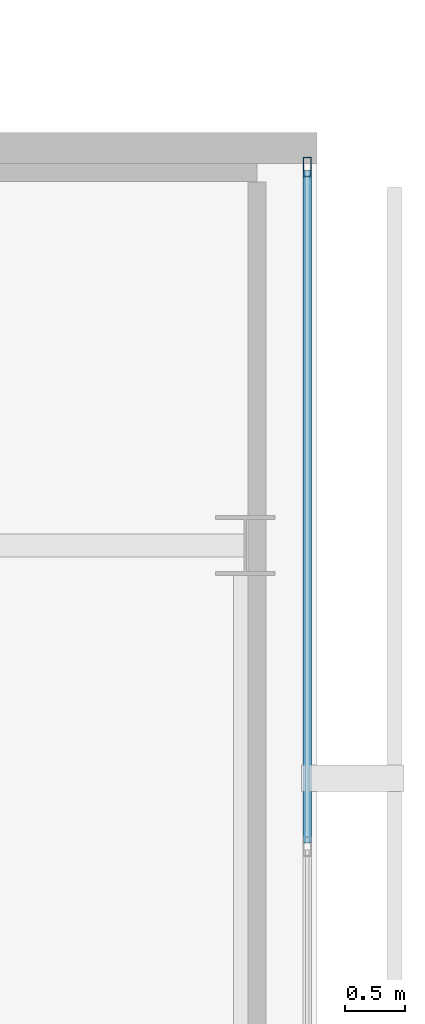
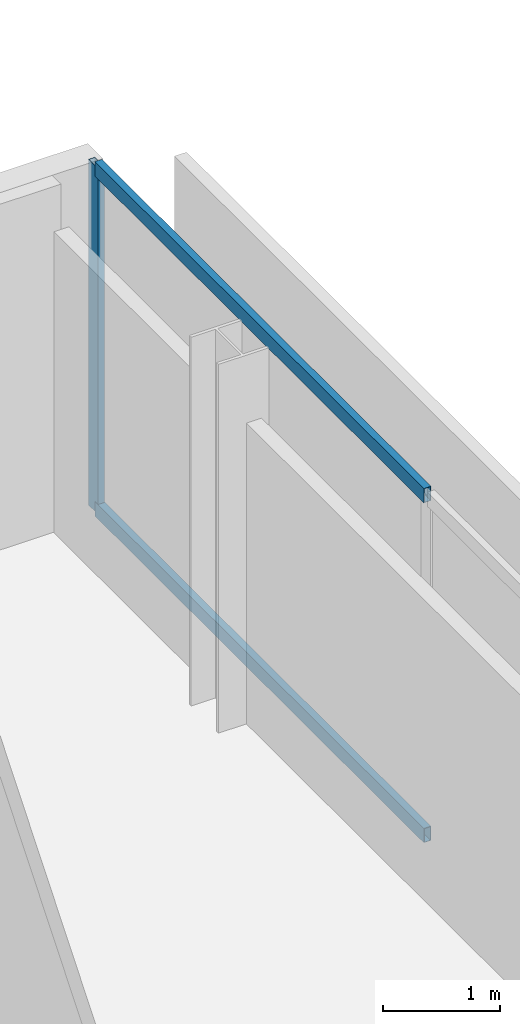
# One storey, part 15 of 23: 3 members, 1 element without a shape of its own.
"""IFC4 building model written with IfcOpenShell, lengths in metres."""

from ifc_helpers import new_model, si_unit, direction, frame, origin, origin_2d, place, context, subcontext, project, spatial, hollow_rectangle, extrude, material, layer, layer_set, material_profile, profile_set, type_object, element, aggregate, save


model = new_model("IFC4")

# Units and contexts
model_context = context("Model", 3, precision=1e-05, world=origin(), true_north=direction((0.0, 1.0)))
body_context = subcontext(model_context, "Body", "Model", "MODEL_VIEW")
ifc_project = project(units=[si_unit("LENGTHUNIT", "METRE"), si_unit("AREAUNIT", "SQUARE_METRE"), si_unit("VOLUMEUNIT", "CUBIC_METRE"), si_unit("PLANEANGLEUNIT", "RADIAN"), si_unit("MASSUNIT", "GRAM", prefix="KILO")], contexts=[model_context])

# Site, building, storey
site_placement = place(None, origin())
site = spatial("IfcSite", under=ifc_project, at=site_placement, CompositionType="ELEMENT")
building_placement = place(site_placement, origin())
building = spatial("IfcBuilding", under=site, at=building_placement, Name="Maruvema Waterfront Hotel and Observation Tower", CompositionType="ELEMENT")
storey_placement = place(building_placement, frame((0.0, 0.0, 341.25)))
storey = spatial("IfcBuildingStorey", under=building, at=storey_placement, Name="L84", CompositionType="ELEMENT", Elevation=341.25)

# Curtain wall, members
ifc_material_1 = material(Name="Anodised bronze aluminium and solar-control low-E IGU", Category="aluminium")
ifc_layer = layer(ifc_material_1, 0.159912109375, Name="Zone 4 Sky Residence Inner Curtain Wall System CW-05")
ifc_layer_set = layer_set([ifc_layer], Name="Anodised bronze aluminium and solar-control low-E IGU")
curtain_wall_type = type_object("IfcCurtainWallType", Name="Zone 4 Sky Residence Inner Curtain Wall System CW-05", PredefinedType="USERDEFINED", material=ifc_layer_set)
curtain_wall_placement = place(storey_placement, origin())
curtain_wall = element("IfcCurtainWall", 1, at=curtain_wall_placement, inside=storey, type_object=curtain_wall_type, Name="L84 Curtain Wall CW-L84-E", ObjectType="UNITISED CURTAIN WALL", PredefinedType="USERDEFINED")
ifc_material_2 = material(Name="Anodised architectural bronze aluminium", Category="aluminium")
ifc_material_profile_1 = material_profile(ifc_material_2, hollow_rectangle(XDim=0.070068359375, YDim=0.14990234375, WallThickness=0.00390625, at=origin_2d()), Name="ALU-T70x150")
ifc_profile_set_1 = profile_set([ifc_material_profile_1], Name="Anodised architectural bronze aluminium")
member_type_1 = type_object("IfcMemberType", Name="Curtain Wall Horizontal Transom ALU-T70x150", PredefinedType="USERDEFINED", material=ifc_profile_set_1)
member_1_placement = place(storey_placement, frame((57.820068359375, 42.510009765625, 0.030029296875), z_axis=(0.0, 1.0, 0.0), x_axis=(-1.0, 0.0, 0.0)))
member_1 = element("IfcMember", 2, at=member_1_placement, type_object=member_type_1, Name="CW-05 transom 5.1", ObjectType="TRANSOM", PredefinedType="USERDEFINED", context=body_context, shape_type="SweptSolid", body=[
    extrude(hollow_rectangle(XDim=0.070068359375, YDim=0.14990234375, WallThickness=0.00390625, at=origin_2d()), origin(), (0.0, 0.0, 1.0), 5.6298828125),
])
member_2_placement = place(storey_placement, frame((57.820068359375, 42.510009765625, 3.580078125), z_axis=(0.0, 1.0, 0.0), x_axis=(-1.0, 0.0, 0.0)))
member_2 = element("IfcMember", 3, at=member_2_placement, type_object=member_type_1, Name="CW-05 transom 5.2", ObjectType="TRANSOM", PredefinedType="USERDEFINED", context=body_context, shape_type="SweptSolid", body=[
    extrude(hollow_rectangle(XDim=0.070068359375, YDim=0.14990234375, WallThickness=0.00390625, at=origin_2d()), origin(), (0.0, 0.0, 1.0), 5.6298828125),
])
ifc_material_3 = material(Name="Anodised architectural bronze aluminium", Category="aluminium")
ifc_material_profile_2 = material_profile(ifc_material_3, hollow_rectangle(XDim=0.06494140625, YDim=0.1650390625, WallThickness=0.00390625, at=origin_2d()), Name="ALU-M65x165")
ifc_profile_set_2 = profile_set([ifc_material_profile_2], Name="Anodised architectural bronze aluminium")
member_type_2 = type_object("IfcMemberType", Name="Curtain Wall Primary Mullion ALU-M65x165", PredefinedType="MULLION", material=ifc_profile_set_2)
member_3_placement = place(storey_placement, frame((57.820068359375, 48.169921875, 0.0), z_axis=(0.0, 0.0, 1.0), x_axis=(-1.0, 0.0, 0.0)))
member_3 = element("IfcMember", 4, at=member_3_placement, type_object=member_type_2, Name="CW-05 mullion 6", PredefinedType="MULLION", context=body_context, shape_type="SweptSolid", body=[
    extrude(hollow_rectangle(XDim=0.06494140625, YDim=0.1650390625, WallThickness=0.00390625, at=origin_2d()), origin(), (0.0, 0.0, 1.0), 3.610107421875),
])
aggregate(curtain_wall, [member_3, member_1, member_2])

save(model, "model.ifc")
